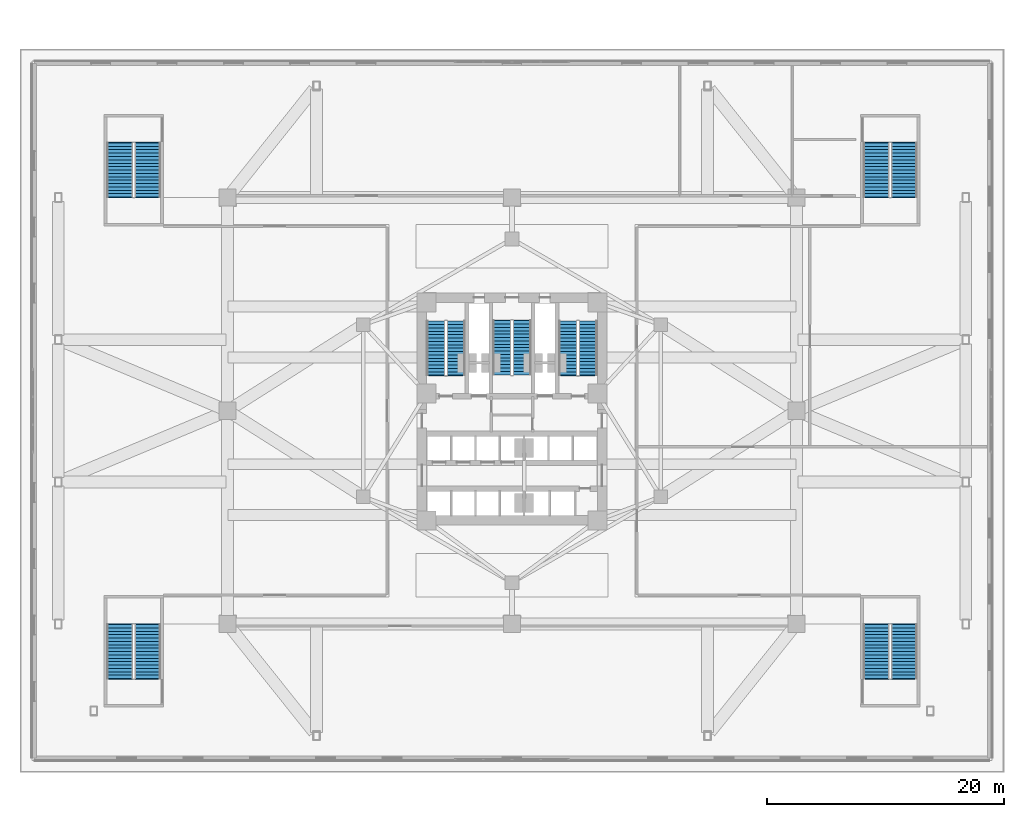
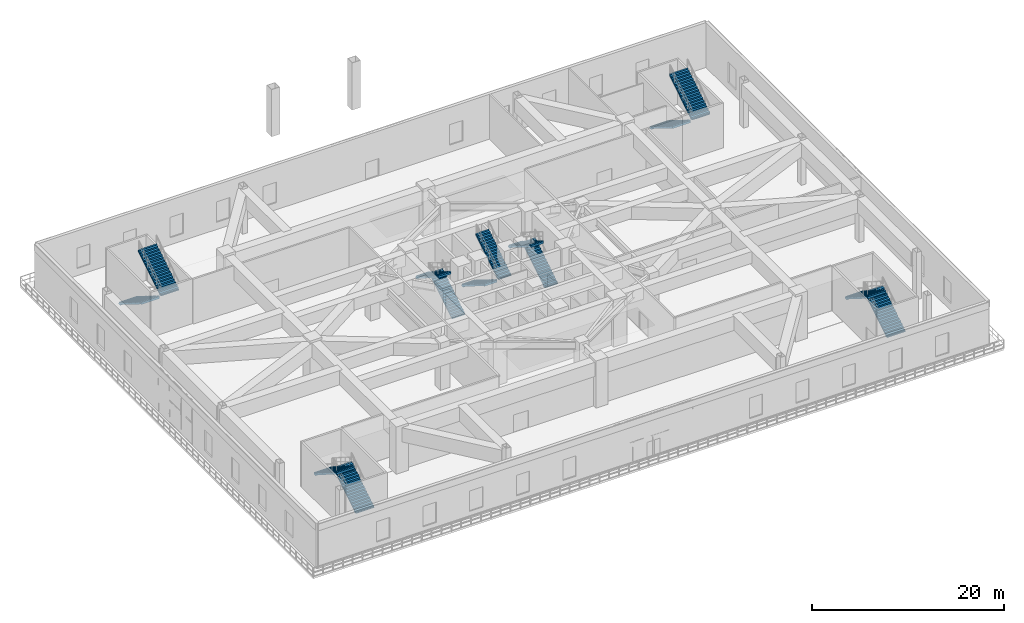
# One storey, part 16 of 25: 14 stair flights, 7 elements without a shape of their own.
"""IFC4 building model written with IfcOpenShell, lengths in metres."""

from ifc_helpers import new_model, si_unit, direction, frame, origin, place, context, subcontext, project, spatial, polyline, outline, extrude, material, type_object, element, aggregate, save


model = new_model("IFC4")

# Units and contexts
model_context = context("Model", 3, precision=1e-05, world=origin(), true_north=direction((0.0, 1.0)))
body_context = subcontext(model_context, "Body", "Model", "MODEL_VIEW")
ifc_project = project(units=[si_unit("LENGTHUNIT", "METRE"), si_unit("AREAUNIT", "SQUARE_METRE"), si_unit("VOLUMEUNIT", "CUBIC_METRE"), si_unit("PLANEANGLEUNIT", "RADIAN"), si_unit("MASSUNIT", "GRAM", prefix="KILO")], contexts=[model_context])

# Site, building, storey
site_placement = place(None, origin())
site = spatial("IfcSite", under=ifc_project, at=site_placement, CompositionType="ELEMENT")
building_placement = place(site_placement, origin())
building = spatial("IfcBuilding", under=site, at=building_placement, Name="Apsidion Concourse Tower", CompositionType="ELEMENT")
storey_placement = place(building_placement, frame((0.0, 0.0, 11.5)))
storey = spatial("IfcBuildingStorey", under=building, at=storey_placement, Name="L02", CompositionType="ELEMENT", Elevation=11.5)

# Stair, stair flights
ifc_material = material(Name="Precast concrete C40/50", Category="concrete")
stair_type_1 = type_object("IfcStairType", Name="ST-DL-1550", PredefinedType="HALF_TURN_STAIR", material=ifc_material)
stair_1_placement = place(storey_placement, origin())
stair_1 = element("IfcStair", 1, at=stair_1_placement, inside=storey, type_object=stair_type_1, Name="L02 Protected Core Exit Stair ST1", PredefinedType="HALF_TURN_STAIR")
stair_flight_type_1 = type_object("IfcStairFlightType", Name="SFL-RC-1550", PredefinedType="STRAIGHT", material=ifc_material)
stair_flight_1_placement = place(storey_placement, frame((-4.72509765625, 3.0, 0.0), z_axis=(0.0, 0.0, 1.0), x_axis=(0.0, 1.0, 0.0)))
stair_flight_1 = element("IfcStairFlight", 2, at=stair_flight_1_placement, type_object=stair_flight_type_1, Name="ST1 flight 1", NumberOfRisers=17, NumberOfTreads=16, PredefinedType="STRAIGHT", RiserHeight=0.176470588, TreadLength=0.285, context=body_context, shape_type="SweptSolid", body=[
    extrude(outline(polyline([(-0.080078125, -0.1123046875), (-0.080078125, 0.0), (0.0, 0.0), (0.0, 0.176513671875), (0.284912109375, 0.176513671875), (0.284912109375, 0.35302734375), (0.570068359375, 0.35302734375), (0.570068359375, 0.529296875), (0.85498046875, 0.529296875), (0.85498046875, 0.705810546875), (1.139892578125, 0.705810546875), (1.139892578125, 0.88232421875), (1.425048828125, 0.88232421875), (1.425048828125, 1.058837890625), (1.7099609375, 1.058837890625), (1.7099609375, 1.2353515625), (1.9951171875, 1.2353515625), (1.9951171875, 1.411865234375), (2.280029296875, 1.411865234375), (2.280029296875, 1.588134765625), (2.56494140625, 1.588134765625), (2.56494140625, 1.7646484375), (2.85009765625, 1.7646484375), (2.85009765625, 1.941162109375), (3.135009765625, 1.941162109375), (3.135009765625, 2.11767578125), (3.419921875, 2.11767578125), (3.419921875, 2.294189453125), (3.705078125, 2.294189453125), (3.705078125, 2.470703125), (3.989990234375, 2.470703125), (3.989990234375, 2.64697265625), (4.27490234375, 2.64697265625), (4.27490234375, 2.823486328125), (4.56005859375, 2.823486328125), (4.56005859375, 3.0), (4.64013671875, 2.911865234375), (4.64013671875, 2.647216796875), (4.56005859375, 2.647216796875), (0.28466796875, 0.0), (0.28466796875, -0.1123046875), (-0.080078125, -0.1123046875)])), frame((0.0, 0.77490234375, 0.0), z_axis=(0.0, -1.0, 0.0), x_axis=(1.0, 0.0, 0.0)), (0.0, 0.0, 1.0), 1.550048828125),
])
stair_flight_2_placement = place(storey_placement, frame((-6.425048828125, 7.56005859375, 3.0), z_axis=(0.0, 0.0, 1.0), x_axis=(0.0, -1.0, 0.0)))
stair_flight_2 = element("IfcStairFlight", 3, at=stair_flight_2_placement, type_object=stair_flight_type_1, Name="ST1 flight 2", NumberOfRisers=17, NumberOfTreads=16, PredefinedType="STRAIGHT", RiserHeight=0.176470588, TreadLength=0.285, context=body_context, shape_type="SweptSolid", body=[
    extrude(outline(polyline([(-0.080078125, -0.1123046875), (-0.080078125, 0.0), (0.0, 0.0), (0.0, 0.176513671875), (0.284912109375, 0.176513671875), (0.284912109375, 0.35302734375), (0.570068359375, 0.35302734375), (0.570068359375, 0.529296875), (0.85498046875, 0.529296875), (0.85498046875, 0.705810546875), (1.139892578125, 0.705810546875), (1.139892578125, 0.88232421875), (1.425048828125, 0.88232421875), (1.425048828125, 1.058837890625), (1.7099609375, 1.058837890625), (1.7099609375, 1.2353515625), (1.9951171875, 1.2353515625), (1.9951171875, 1.411865234375), (2.280029296875, 1.411865234375), (2.280029296875, 1.588134765625), (2.56494140625, 1.588134765625), (2.56494140625, 1.7646484375), (2.85009765625, 1.7646484375), (2.85009765625, 1.941162109375), (3.135009765625, 1.941162109375), (3.135009765625, 2.11767578125), (3.419921875, 2.11767578125), (3.419921875, 2.294189453125), (3.705078125, 2.294189453125), (3.705078125, 2.470703125), (3.989990234375, 2.470703125), (3.989990234375, 2.64697265625), (4.27490234375, 2.64697265625), (4.27490234375, 2.823486328125), (4.56005859375, 2.823486328125), (4.56005859375, 3.0), (4.64013671875, 2.911865234375), (4.64013671875, 2.647216796875), (4.56005859375, 2.647216796875), (0.28466796875, 0.0), (0.28466796875, -0.1123046875), (-0.080078125, -0.1123046875)])), frame((0.0, 0.77490234375, 0.0), z_axis=(0.0, -1.0, 0.0), x_axis=(1.0, 0.0, 0.0)), (0.0, 0.0, 1.0), 1.550048828125),
])
aggregate(stair_1, [stair_flight_1, stair_flight_2])

stair_2_placement = place(storey_placement, origin())
stair_2 = element("IfcStair", 4, at=stair_2_placement, inside=storey, type_object=stair_type_1, Name="L02 Protected Core Exit Stair ST2", PredefinedType="HALF_TURN_STAIR")
stair_flight_3_placement = place(storey_placement, frame((6.425048828125, 3.0, 0.0), z_axis=(0.0, 0.0, 1.0), x_axis=(0.0, 1.0, 0.0)))
stair_flight_3 = element("IfcStairFlight", 5, at=stair_flight_3_placement, type_object=stair_flight_type_1, Name="ST2 flight 1", NumberOfRisers=17, NumberOfTreads=16, PredefinedType="STRAIGHT", RiserHeight=0.176470588, TreadLength=0.285, context=body_context, shape_type="SweptSolid", body=[
    extrude(outline(polyline([(-0.080078125, -0.1123046875), (-0.080078125, 0.0), (0.0, 0.0), (0.0, 0.176513671875), (0.284912109375, 0.176513671875), (0.284912109375, 0.35302734375), (0.570068359375, 0.35302734375), (0.570068359375, 0.529296875), (0.85498046875, 0.529296875), (0.85498046875, 0.705810546875), (1.139892578125, 0.705810546875), (1.139892578125, 0.88232421875), (1.425048828125, 0.88232421875), (1.425048828125, 1.058837890625), (1.7099609375, 1.058837890625), (1.7099609375, 1.2353515625), (1.9951171875, 1.2353515625), (1.9951171875, 1.411865234375), (2.280029296875, 1.411865234375), (2.280029296875, 1.588134765625), (2.56494140625, 1.588134765625), (2.56494140625, 1.7646484375), (2.85009765625, 1.7646484375), (2.85009765625, 1.941162109375), (3.135009765625, 1.941162109375), (3.135009765625, 2.11767578125), (3.419921875, 2.11767578125), (3.419921875, 2.294189453125), (3.705078125, 2.294189453125), (3.705078125, 2.470703125), (3.989990234375, 2.470703125), (3.989990234375, 2.64697265625), (4.27490234375, 2.64697265625), (4.27490234375, 2.823486328125), (4.56005859375, 2.823486328125), (4.56005859375, 3.0), (4.64013671875, 2.911865234375), (4.64013671875, 2.647216796875), (4.56005859375, 2.647216796875), (0.28466796875, 0.0), (0.28466796875, -0.1123046875), (-0.080078125, -0.1123046875)])), frame((0.0, 0.77490234375, 0.0), z_axis=(0.0, -1.0, 0.0), x_axis=(1.0, 0.0, 0.0)), (0.0, 0.0, 1.0), 1.550048828125),
])
stair_flight_4_placement = place(storey_placement, frame((4.72509765625, 7.56005859375, 3.0), z_axis=(0.0, 0.0, 1.0), x_axis=(0.0, -1.0, 0.0)))
stair_flight_4 = element("IfcStairFlight", 6, at=stair_flight_4_placement, type_object=stair_flight_type_1, Name="ST2 flight 2", NumberOfRisers=17, NumberOfTreads=16, PredefinedType="STRAIGHT", RiserHeight=0.176470588, TreadLength=0.285, context=body_context, shape_type="SweptSolid", body=[
    extrude(outline(polyline([(-0.080078125, -0.1123046875), (-0.080078125, 0.0), (0.0, 0.0), (0.0, 0.176513671875), (0.284912109375, 0.176513671875), (0.284912109375, 0.35302734375), (0.570068359375, 0.35302734375), (0.570068359375, 0.529296875), (0.85498046875, 0.529296875), (0.85498046875, 0.705810546875), (1.139892578125, 0.705810546875), (1.139892578125, 0.88232421875), (1.425048828125, 0.88232421875), (1.425048828125, 1.058837890625), (1.7099609375, 1.058837890625), (1.7099609375, 1.2353515625), (1.9951171875, 1.2353515625), (1.9951171875, 1.411865234375), (2.280029296875, 1.411865234375), (2.280029296875, 1.588134765625), (2.56494140625, 1.588134765625), (2.56494140625, 1.7646484375), (2.85009765625, 1.7646484375), (2.85009765625, 1.941162109375), (3.135009765625, 1.941162109375), (3.135009765625, 2.11767578125), (3.419921875, 2.11767578125), (3.419921875, 2.294189453125), (3.705078125, 2.294189453125), (3.705078125, 2.470703125), (3.989990234375, 2.470703125), (3.989990234375, 2.64697265625), (4.27490234375, 2.64697265625), (4.27490234375, 2.823486328125), (4.56005859375, 2.823486328125), (4.56005859375, 3.0), (4.64013671875, 2.911865234375), (4.64013671875, 2.647216796875), (4.56005859375, 2.647216796875), (0.28466796875, 0.0), (0.28466796875, -0.1123046875), (-0.080078125, -0.1123046875)])), frame((0.0, 0.77490234375, 0.0), z_axis=(0.0, -1.0, 0.0), x_axis=(1.0, 0.0, 0.0)), (0.0, 0.0, 1.0), 1.550048828125),
])
aggregate(stair_2, [stair_flight_3, stair_flight_4])

stair_3_placement = place(storey_placement, origin())
stair_3 = element("IfcStair", 7, at=stair_3_placement, inside=storey, type_object=stair_type_1, Name="L02 Protected Core Exit Stair ST3", PredefinedType="HALF_TURN_STAIR")
stair_flight_5_placement = place(storey_placement, frame((-0.85009765625, 7.60009765625, 0.0), z_axis=(0.0, 0.0, 1.0), x_axis=(0.0, -1.0, 0.0)))
stair_flight_5 = element("IfcStairFlight", 8, at=stair_flight_5_placement, type_object=stair_flight_type_1, Name="ST3 flight 1", NumberOfRisers=17, NumberOfTreads=16, PredefinedType="STRAIGHT", RiserHeight=0.176470588, TreadLength=0.285, context=body_context, shape_type="SweptSolid", body=[
    extrude(outline(polyline([(-0.080078125, -0.1123046875), (-0.080078125, 0.0), (0.0, 0.0), (0.0, 0.176513671875), (0.284912109375, 0.176513671875), (0.284912109375, 0.35302734375), (0.570068359375, 0.35302734375), (0.570068359375, 0.529296875), (0.85498046875, 0.529296875), (0.85498046875, 0.705810546875), (1.139892578125, 0.705810546875), (1.139892578125, 0.88232421875), (1.425048828125, 0.88232421875), (1.425048828125, 1.058837890625), (1.7099609375, 1.058837890625), (1.7099609375, 1.2353515625), (1.9951171875, 1.2353515625), (1.9951171875, 1.411865234375), (2.280029296875, 1.411865234375), (2.280029296875, 1.588134765625), (2.56494140625, 1.588134765625), (2.56494140625, 1.7646484375), (2.85009765625, 1.7646484375), (2.85009765625, 1.941162109375), (3.135009765625, 1.941162109375), (3.135009765625, 2.11767578125), (3.419921875, 2.11767578125), (3.419921875, 2.294189453125), (3.705078125, 2.294189453125), (3.705078125, 2.470703125), (3.989990234375, 2.470703125), (3.989990234375, 2.64697265625), (4.27490234375, 2.64697265625), (4.27490234375, 2.823486328125), (4.56005859375, 2.823486328125), (4.56005859375, 3.0), (4.64013671875, 2.911865234375), (4.64013671875, 2.647216796875), (4.56005859375, 2.647216796875), (0.28466796875, 0.0), (0.28466796875, -0.1123046875), (-0.080078125, -0.1123046875)])), frame((0.0, 0.77490234375, 0.0), z_axis=(0.0, -1.0, 0.0), x_axis=(1.0, 0.0, 0.0)), (0.0, 0.0, 1.0), 1.550048828125),
])
stair_flight_6_placement = place(storey_placement, frame((0.85009765625, 3.0400390625, 3.0), z_axis=(0.0, 0.0, 1.0), x_axis=(0.0, 1.0, 0.0)))
stair_flight_6 = element("IfcStairFlight", 9, at=stair_flight_6_placement, type_object=stair_flight_type_1, Name="ST3 flight 2", NumberOfRisers=17, NumberOfTreads=16, PredefinedType="STRAIGHT", RiserHeight=0.176470588, TreadLength=0.285, context=body_context, shape_type="SweptSolid", body=[
    extrude(outline(polyline([(-0.080078125, -0.1123046875), (-0.080078125, 0.0), (0.0, 0.0), (0.0, 0.176513671875), (0.284912109375, 0.176513671875), (0.284912109375, 0.35302734375), (0.570068359375, 0.35302734375), (0.570068359375, 0.529296875), (0.85498046875, 0.529296875), (0.85498046875, 0.705810546875), (1.139892578125, 0.705810546875), (1.139892578125, 0.88232421875), (1.425048828125, 0.88232421875), (1.425048828125, 1.058837890625), (1.7099609375, 1.058837890625), (1.7099609375, 1.2353515625), (1.9951171875, 1.2353515625), (1.9951171875, 1.411865234375), (2.280029296875, 1.411865234375), (2.280029296875, 1.588134765625), (2.56494140625, 1.588134765625), (2.56494140625, 1.7646484375), (2.85009765625, 1.7646484375), (2.85009765625, 1.941162109375), (3.135009765625, 1.941162109375), (3.135009765625, 2.11767578125), (3.419921875, 2.11767578125), (3.419921875, 2.294189453125), (3.705078125, 2.294189453125), (3.705078125, 2.470703125), (3.989990234375, 2.470703125), (3.989990234375, 2.64697265625), (4.27490234375, 2.64697265625), (4.27490234375, 2.823486328125), (4.56005859375, 2.823486328125), (4.56005859375, 3.0), (4.64013671875, 2.911865234375), (4.64013671875, 2.647216796875), (4.56005859375, 2.647216796875), (0.28466796875, 0.0), (0.28466796875, -0.1123046875), (-0.080078125, -0.1123046875)])), frame((0.0, 0.77490234375, 0.0), z_axis=(0.0, -1.0, 0.0), x_axis=(1.0, 0.0, 0.0)), (0.0, 0.0, 1.0), 1.550048828125),
])
aggregate(stair_3, [stair_flight_5, stair_flight_6])

stair_type_2 = type_object("IfcStairType", Name="ST-DL-2200", PredefinedType="HALF_TURN_STAIR", material=ifc_material)
stair_4_placement = place(storey_placement, origin())
stair_4 = element("IfcStair", 10, at=stair_4_placement, inside=storey, type_object=stair_type_2, Name="L02 Podium Convention Exit Stair ST-P1", PredefinedType="HALF_TURN_STAIR")
stair_flight_type_2 = type_object("IfcStairFlightType", Name="SFL-RC-2200", PredefinedType="STRAIGHT", material=ifc_material)
stair_flight_7_placement = place(storey_placement, frame((-30.75, -22.60009765625, 0.0), z_axis=(0.0, 0.0, 1.0), x_axis=(0.0, 1.0, 0.0)))
stair_flight_7 = element("IfcStairFlight", 11, at=stair_flight_7_placement, type_object=stair_flight_type_2, Name="ST-P1 flight 1", NumberOfRisers=17, NumberOfTreads=16, PredefinedType="STRAIGHT", RiserHeight=0.176470588, TreadLength=0.285, context=body_context, shape_type="SweptSolid", body=[
    extrude(outline(polyline([(-0.080078125, -0.1123046875), (-0.080078125, 0.0), (0.0, 0.0), (0.0, 0.176513671875), (0.284912109375, 0.176513671875), (0.284912109375, 0.35302734375), (0.570068359375, 0.35302734375), (0.570068359375, 0.529296875), (0.85498046875, 0.529296875), (0.85498046875, 0.705810546875), (1.139892578125, 0.705810546875), (1.139892578125, 0.88232421875), (1.425048828125, 0.88232421875), (1.425048828125, 1.058837890625), (1.7099609375, 1.058837890625), (1.7099609375, 1.2353515625), (1.9951171875, 1.2353515625), (1.9951171875, 1.411865234375), (2.280029296875, 1.411865234375), (2.280029296875, 1.588134765625), (2.56494140625, 1.588134765625), (2.56494140625, 1.7646484375), (2.85009765625, 1.7646484375), (2.85009765625, 1.941162109375), (3.135009765625, 1.941162109375), (3.135009765625, 2.11767578125), (3.419921875, 2.11767578125), (3.419921875, 2.294189453125), (3.705078125, 2.294189453125), (3.705078125, 2.470703125), (3.989990234375, 2.470703125), (3.989990234375, 2.64697265625), (4.27490234375, 2.64697265625), (4.27490234375, 2.823486328125), (4.56005859375, 2.823486328125), (4.56005859375, 3.0), (4.64013671875, 2.911865234375), (4.64013671875, 2.647216796875), (4.56005859375, 2.647216796875), (0.28466796875, 0.0), (0.28466796875, -0.1123046875), (-0.080078125, -0.1123046875)])), frame((0.0, 1.10009765625, 0.0), z_axis=(0.0, -1.0, 0.0), x_axis=(1.0, 0.0, 0.0)), (0.0, 0.0, 1.0), 2.199951171875),
])
stair_flight_8_placement = place(storey_placement, frame((-33.10009765625, -18.0400390625, 3.0), z_axis=(0.0, 0.0, 1.0), x_axis=(0.0, -1.0, 0.0)))
stair_flight_8 = element("IfcStairFlight", 12, at=stair_flight_8_placement, type_object=stair_flight_type_2, Name="ST-P1 flight 2", NumberOfRisers=17, NumberOfTreads=16, PredefinedType="STRAIGHT", RiserHeight=0.176470588, TreadLength=0.285, context=body_context, shape_type="SweptSolid", body=[
    extrude(outline(polyline([(-0.080078125, -0.1123046875), (-0.080078125, 0.0), (0.0, 0.0), (0.0, 0.176513671875), (0.284912109375, 0.176513671875), (0.284912109375, 0.35302734375), (0.570068359375, 0.35302734375), (0.570068359375, 0.529296875), (0.85498046875, 0.529296875), (0.85498046875, 0.705810546875), (1.139892578125, 0.705810546875), (1.139892578125, 0.88232421875), (1.425048828125, 0.88232421875), (1.425048828125, 1.058837890625), (1.7099609375, 1.058837890625), (1.7099609375, 1.2353515625), (1.9951171875, 1.2353515625), (1.9951171875, 1.411865234375), (2.280029296875, 1.411865234375), (2.280029296875, 1.588134765625), (2.56494140625, 1.588134765625), (2.56494140625, 1.7646484375), (2.85009765625, 1.7646484375), (2.85009765625, 1.941162109375), (3.135009765625, 1.941162109375), (3.135009765625, 2.11767578125), (3.419921875, 2.11767578125), (3.419921875, 2.294189453125), (3.705078125, 2.294189453125), (3.705078125, 2.470703125), (3.989990234375, 2.470703125), (3.989990234375, 2.64697265625), (4.27490234375, 2.64697265625), (4.27490234375, 2.823486328125), (4.56005859375, 2.823486328125), (4.56005859375, 3.0), (4.64013671875, 2.911865234375), (4.64013671875, 2.647216796875), (4.56005859375, 2.647216796875), (0.28466796875, 0.0), (0.28466796875, -0.1123046875), (-0.080078125, -0.1123046875)])), frame((0.0, 1.10009765625, 0.0), z_axis=(0.0, -1.0, 0.0), x_axis=(1.0, 0.0, 0.0)), (0.0, 0.0, 1.0), 2.199951171875),
])
aggregate(stair_4, [stair_flight_7, stair_flight_8])

stair_5_placement = place(storey_placement, origin())
stair_5 = element("IfcStair", 13, at=stair_5_placement, inside=storey, type_object=stair_type_2, Name="L02 Podium Convention Exit Stair ST-P2", PredefinedType="HALF_TURN_STAIR")
stair_flight_9_placement = place(storey_placement, frame((33.10009765625, -22.60009765625, 0.0), z_axis=(0.0, 0.0, 1.0), x_axis=(0.0, 1.0, 0.0)))
stair_flight_9 = element("IfcStairFlight", 14, at=stair_flight_9_placement, type_object=stair_flight_type_2, Name="ST-P2 flight 1", NumberOfRisers=17, NumberOfTreads=16, PredefinedType="STRAIGHT", RiserHeight=0.176470588, TreadLength=0.285, context=body_context, shape_type="SweptSolid", body=[
    extrude(outline(polyline([(-0.080078125, -0.1123046875), (-0.080078125, 0.0), (0.0, 0.0), (0.0, 0.176513671875), (0.284912109375, 0.176513671875), (0.284912109375, 0.35302734375), (0.570068359375, 0.35302734375), (0.570068359375, 0.529296875), (0.85498046875, 0.529296875), (0.85498046875, 0.705810546875), (1.139892578125, 0.705810546875), (1.139892578125, 0.88232421875), (1.425048828125, 0.88232421875), (1.425048828125, 1.058837890625), (1.7099609375, 1.058837890625), (1.7099609375, 1.2353515625), (1.9951171875, 1.2353515625), (1.9951171875, 1.411865234375), (2.280029296875, 1.411865234375), (2.280029296875, 1.588134765625), (2.56494140625, 1.588134765625), (2.56494140625, 1.7646484375), (2.85009765625, 1.7646484375), (2.85009765625, 1.941162109375), (3.135009765625, 1.941162109375), (3.135009765625, 2.11767578125), (3.419921875, 2.11767578125), (3.419921875, 2.294189453125), (3.705078125, 2.294189453125), (3.705078125, 2.470703125), (3.989990234375, 2.470703125), (3.989990234375, 2.64697265625), (4.27490234375, 2.64697265625), (4.27490234375, 2.823486328125), (4.56005859375, 2.823486328125), (4.56005859375, 3.0), (4.64013671875, 2.911865234375), (4.64013671875, 2.647216796875), (4.56005859375, 2.647216796875), (0.28466796875, 0.0), (0.28466796875, -0.1123046875), (-0.080078125, -0.1123046875)])), frame((0.0, 1.10009765625, 0.0), z_axis=(0.0, -1.0, 0.0), x_axis=(1.0, 0.0, 0.0)), (0.0, 0.0, 1.0), 2.199951171875),
])
stair_flight_10_placement = place(storey_placement, frame((30.75, -18.0400390625, 3.0), z_axis=(0.0, 0.0, 1.0), x_axis=(0.0, -1.0, 0.0)))
stair_flight_10 = element("IfcStairFlight", 15, at=stair_flight_10_placement, type_object=stair_flight_type_2, Name="ST-P2 flight 2", NumberOfRisers=17, NumberOfTreads=16, PredefinedType="STRAIGHT", RiserHeight=0.176470588, TreadLength=0.285, context=body_context, shape_type="SweptSolid", body=[
    extrude(outline(polyline([(-0.080078125, -0.1123046875), (-0.080078125, 0.0), (0.0, 0.0), (0.0, 0.176513671875), (0.284912109375, 0.176513671875), (0.284912109375, 0.35302734375), (0.570068359375, 0.35302734375), (0.570068359375, 0.529296875), (0.85498046875, 0.529296875), (0.85498046875, 0.705810546875), (1.139892578125, 0.705810546875), (1.139892578125, 0.88232421875), (1.425048828125, 0.88232421875), (1.425048828125, 1.058837890625), (1.7099609375, 1.058837890625), (1.7099609375, 1.2353515625), (1.9951171875, 1.2353515625), (1.9951171875, 1.411865234375), (2.280029296875, 1.411865234375), (2.280029296875, 1.588134765625), (2.56494140625, 1.588134765625), (2.56494140625, 1.7646484375), (2.85009765625, 1.7646484375), (2.85009765625, 1.941162109375), (3.135009765625, 1.941162109375), (3.135009765625, 2.11767578125), (3.419921875, 2.11767578125), (3.419921875, 2.294189453125), (3.705078125, 2.294189453125), (3.705078125, 2.470703125), (3.989990234375, 2.470703125), (3.989990234375, 2.64697265625), (4.27490234375, 2.64697265625), (4.27490234375, 2.823486328125), (4.56005859375, 2.823486328125), (4.56005859375, 3.0), (4.64013671875, 2.911865234375), (4.64013671875, 2.647216796875), (4.56005859375, 2.647216796875), (0.28466796875, 0.0), (0.28466796875, -0.1123046875), (-0.080078125, -0.1123046875)])), frame((0.0, 1.10009765625, 0.0), z_axis=(0.0, -1.0, 0.0), x_axis=(1.0, 0.0, 0.0)), (0.0, 0.0, 1.0), 2.199951171875),
])
aggregate(stair_5, [stair_flight_9, stair_flight_10])

stair_6_placement = place(storey_placement, origin())
stair_6 = element("IfcStair", 16, at=stair_6_placement, inside=storey, type_object=stair_type_2, Name="L02 Podium Convention Exit Stair ST-P3", PredefinedType="HALF_TURN_STAIR")
stair_flight_11_placement = place(storey_placement, frame((-33.10009765625, 22.60009765625, 0.0), z_axis=(0.0, 0.0, 1.0), x_axis=(0.0, -1.0, 0.0)))
stair_flight_11 = element("IfcStairFlight", 17, at=stair_flight_11_placement, type_object=stair_flight_type_2, Name="ST-P3 flight 1", NumberOfRisers=17, NumberOfTreads=16, PredefinedType="STRAIGHT", RiserHeight=0.176470588, TreadLength=0.285, context=body_context, shape_type="SweptSolid", body=[
    extrude(outline(polyline([(-0.080078125, -0.1123046875), (-0.080078125, 0.0), (0.0, 0.0), (0.0, 0.176513671875), (0.284912109375, 0.176513671875), (0.284912109375, 0.35302734375), (0.570068359375, 0.35302734375), (0.570068359375, 0.529296875), (0.85498046875, 0.529296875), (0.85498046875, 0.705810546875), (1.139892578125, 0.705810546875), (1.139892578125, 0.88232421875), (1.425048828125, 0.88232421875), (1.425048828125, 1.058837890625), (1.7099609375, 1.058837890625), (1.7099609375, 1.2353515625), (1.9951171875, 1.2353515625), (1.9951171875, 1.411865234375), (2.280029296875, 1.411865234375), (2.280029296875, 1.588134765625), (2.56494140625, 1.588134765625), (2.56494140625, 1.7646484375), (2.85009765625, 1.7646484375), (2.85009765625, 1.941162109375), (3.135009765625, 1.941162109375), (3.135009765625, 2.11767578125), (3.419921875, 2.11767578125), (3.419921875, 2.294189453125), (3.705078125, 2.294189453125), (3.705078125, 2.470703125), (3.989990234375, 2.470703125), (3.989990234375, 2.64697265625), (4.27490234375, 2.64697265625), (4.27490234375, 2.823486328125), (4.56005859375, 2.823486328125), (4.56005859375, 3.0), (4.64013671875, 2.911865234375), (4.64013671875, 2.647216796875), (4.56005859375, 2.647216796875), (0.28466796875, 0.0), (0.28466796875, -0.1123046875), (-0.080078125, -0.1123046875)])), frame((0.0, 1.10009765625, 0.0), z_axis=(0.0, -1.0, 0.0), x_axis=(1.0, 0.0, 0.0)), (0.0, 0.0, 1.0), 2.199951171875),
])
stair_flight_12_placement = place(storey_placement, frame((-30.75, 18.0400390625, 3.0), z_axis=(0.0, 0.0, 1.0), x_axis=(0.0, 1.0, 0.0)))
stair_flight_12 = element("IfcStairFlight", 18, at=stair_flight_12_placement, type_object=stair_flight_type_2, Name="ST-P3 flight 2", NumberOfRisers=17, NumberOfTreads=16, PredefinedType="STRAIGHT", RiserHeight=0.176470588, TreadLength=0.285, context=body_context, shape_type="SweptSolid", body=[
    extrude(outline(polyline([(-0.080078125, -0.1123046875), (-0.080078125, 0.0), (0.0, 0.0), (0.0, 0.176513671875), (0.284912109375, 0.176513671875), (0.284912109375, 0.35302734375), (0.570068359375, 0.35302734375), (0.570068359375, 0.529296875), (0.85498046875, 0.529296875), (0.85498046875, 0.705810546875), (1.139892578125, 0.705810546875), (1.139892578125, 0.88232421875), (1.425048828125, 0.88232421875), (1.425048828125, 1.058837890625), (1.7099609375, 1.058837890625), (1.7099609375, 1.2353515625), (1.9951171875, 1.2353515625), (1.9951171875, 1.411865234375), (2.280029296875, 1.411865234375), (2.280029296875, 1.588134765625), (2.56494140625, 1.588134765625), (2.56494140625, 1.7646484375), (2.85009765625, 1.7646484375), (2.85009765625, 1.941162109375), (3.135009765625, 1.941162109375), (3.135009765625, 2.11767578125), (3.419921875, 2.11767578125), (3.419921875, 2.294189453125), (3.705078125, 2.294189453125), (3.705078125, 2.470703125), (3.989990234375, 2.470703125), (3.989990234375, 2.64697265625), (4.27490234375, 2.64697265625), (4.27490234375, 2.823486328125), (4.56005859375, 2.823486328125), (4.56005859375, 3.0), (4.64013671875, 2.911865234375), (4.64013671875, 2.647216796875), (4.56005859375, 2.647216796875), (0.28466796875, 0.0), (0.28466796875, -0.1123046875), (-0.080078125, -0.1123046875)])), frame((0.0, 1.10009765625, 0.0), z_axis=(0.0, -1.0, 0.0), x_axis=(1.0, 0.0, 0.0)), (0.0, 0.0, 1.0), 2.199951171875),
])
aggregate(stair_6, [stair_flight_11, stair_flight_12])

stair_7_placement = place(storey_placement, origin())
stair_7 = element("IfcStair", 19, at=stair_7_placement, inside=storey, type_object=stair_type_2, Name="L02 Podium Convention Exit Stair ST-P4", PredefinedType="HALF_TURN_STAIR")
stair_flight_13_placement = place(storey_placement, frame((30.75, 22.60009765625, 0.0), z_axis=(0.0, 0.0, 1.0), x_axis=(0.0, -1.0, 0.0)))
stair_flight_13 = element("IfcStairFlight", 20, at=stair_flight_13_placement, type_object=stair_flight_type_2, Name="ST-P4 flight 1", NumberOfRisers=17, NumberOfTreads=16, PredefinedType="STRAIGHT", RiserHeight=0.176470588, TreadLength=0.285, context=body_context, shape_type="SweptSolid", body=[
    extrude(outline(polyline([(-0.080078125, -0.1123046875), (-0.080078125, 0.0), (0.0, 0.0), (0.0, 0.176513671875), (0.284912109375, 0.176513671875), (0.284912109375, 0.35302734375), (0.570068359375, 0.35302734375), (0.570068359375, 0.529296875), (0.85498046875, 0.529296875), (0.85498046875, 0.705810546875), (1.139892578125, 0.705810546875), (1.139892578125, 0.88232421875), (1.425048828125, 0.88232421875), (1.425048828125, 1.058837890625), (1.7099609375, 1.058837890625), (1.7099609375, 1.2353515625), (1.9951171875, 1.2353515625), (1.9951171875, 1.411865234375), (2.280029296875, 1.411865234375), (2.280029296875, 1.588134765625), (2.56494140625, 1.588134765625), (2.56494140625, 1.7646484375), (2.85009765625, 1.7646484375), (2.85009765625, 1.941162109375), (3.135009765625, 1.941162109375), (3.135009765625, 2.11767578125), (3.419921875, 2.11767578125), (3.419921875, 2.294189453125), (3.705078125, 2.294189453125), (3.705078125, 2.470703125), (3.989990234375, 2.470703125), (3.989990234375, 2.64697265625), (4.27490234375, 2.64697265625), (4.27490234375, 2.823486328125), (4.56005859375, 2.823486328125), (4.56005859375, 3.0), (4.64013671875, 2.911865234375), (4.64013671875, 2.647216796875), (4.56005859375, 2.647216796875), (0.28466796875, 0.0), (0.28466796875, -0.1123046875), (-0.080078125, -0.1123046875)])), frame((0.0, 1.10009765625, 0.0), z_axis=(0.0, -1.0, 0.0), x_axis=(1.0, 0.0, 0.0)), (0.0, 0.0, 1.0), 2.199951171875),
])
stair_flight_14_placement = place(storey_placement, frame((33.10009765625, 18.0400390625, 3.0), z_axis=(0.0, 0.0, 1.0), x_axis=(0.0, 1.0, 0.0)))
stair_flight_14 = element("IfcStairFlight", 21, at=stair_flight_14_placement, type_object=stair_flight_type_2, Name="ST-P4 flight 2", NumberOfRisers=17, NumberOfTreads=16, PredefinedType="STRAIGHT", RiserHeight=0.176470588, TreadLength=0.285, context=body_context, shape_type="SweptSolid", body=[
    extrude(outline(polyline([(-0.080078125, -0.1123046875), (-0.080078125, 0.0), (0.0, 0.0), (0.0, 0.176513671875), (0.284912109375, 0.176513671875), (0.284912109375, 0.35302734375), (0.570068359375, 0.35302734375), (0.570068359375, 0.529296875), (0.85498046875, 0.529296875), (0.85498046875, 0.705810546875), (1.139892578125, 0.705810546875), (1.139892578125, 0.88232421875), (1.425048828125, 0.88232421875), (1.425048828125, 1.058837890625), (1.7099609375, 1.058837890625), (1.7099609375, 1.2353515625), (1.9951171875, 1.2353515625), (1.9951171875, 1.411865234375), (2.280029296875, 1.411865234375), (2.280029296875, 1.588134765625), (2.56494140625, 1.588134765625), (2.56494140625, 1.7646484375), (2.85009765625, 1.7646484375), (2.85009765625, 1.941162109375), (3.135009765625, 1.941162109375), (3.135009765625, 2.11767578125), (3.419921875, 2.11767578125), (3.419921875, 2.294189453125), (3.705078125, 2.294189453125), (3.705078125, 2.470703125), (3.989990234375, 2.470703125), (3.989990234375, 2.64697265625), (4.27490234375, 2.64697265625), (4.27490234375, 2.823486328125), (4.56005859375, 2.823486328125), (4.56005859375, 3.0), (4.64013671875, 2.911865234375), (4.64013671875, 2.647216796875), (4.56005859375, 2.647216796875), (0.28466796875, 0.0), (0.28466796875, -0.1123046875), (-0.080078125, -0.1123046875)])), frame((0.0, 1.10009765625, 0.0), z_axis=(0.0, -1.0, 0.0), x_axis=(1.0, 0.0, 0.0)), (0.0, 0.0, 1.0), 2.199951171875),
])
aggregate(stair_7, [stair_flight_13, stair_flight_14])

save(model, "model.ifc")
